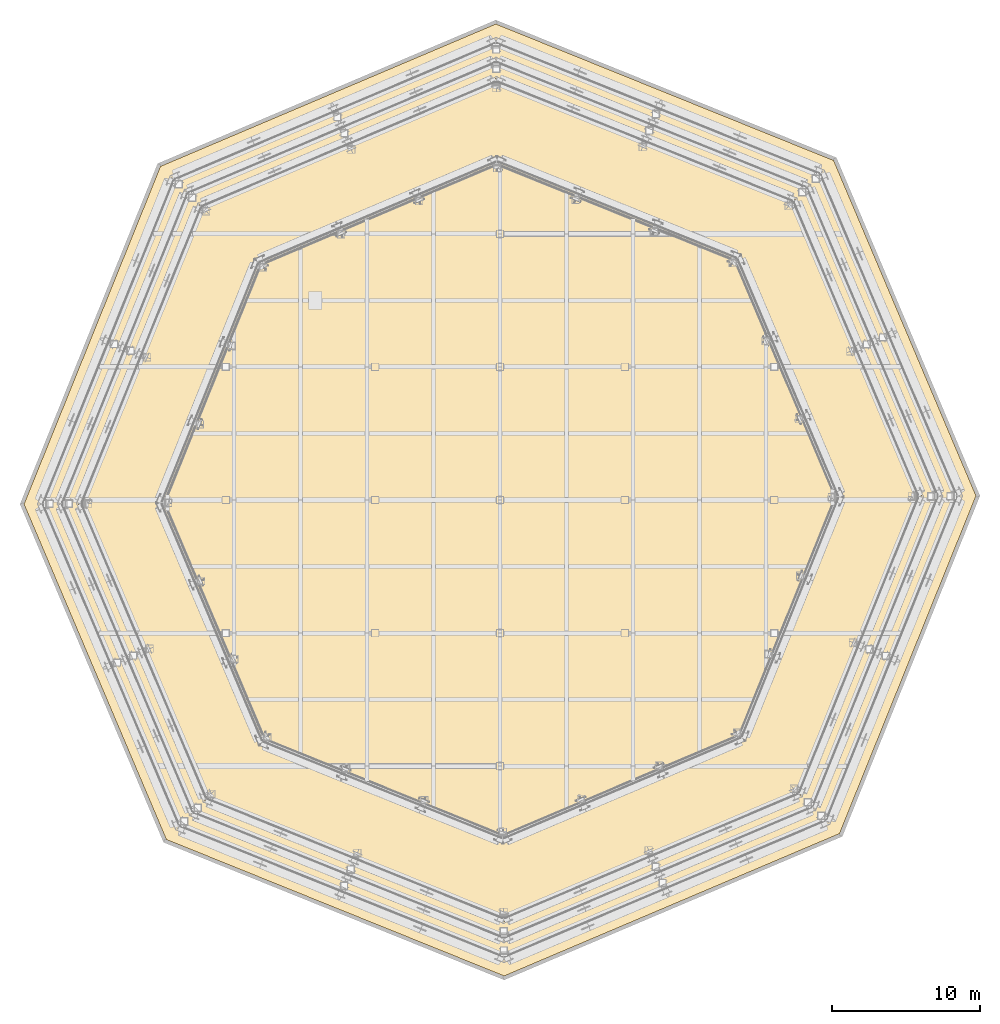
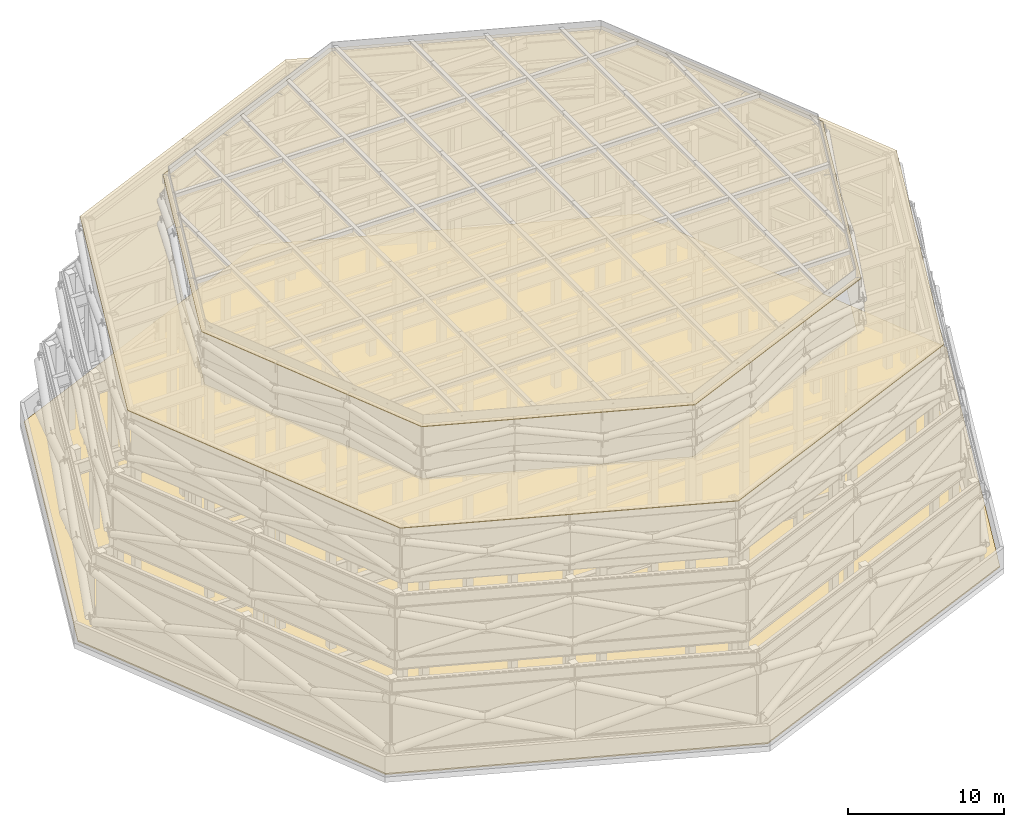
# One storey, part 19 of 19: 3 coverings.
"""IFC4 building model written with IfcOpenShell, lengths in metres."""

from ifc_helpers import new_model, si_unit, direction, frame, origin, place, context, subcontext, project, spatial, polyline, outline, extrude, material, layer, layer_set, type_object, element, save


model = new_model("IFC4")

# Units and contexts
model_context = context("Model", 3, precision=1e-05, world=origin(), true_north=direction((0.0, 1.0)))
body_context = subcontext(model_context, "Body", "Model", "MODEL_VIEW")
ifc_project = project(units=[si_unit("LENGTHUNIT", "METRE"), si_unit("AREAUNIT", "SQUARE_METRE"), si_unit("VOLUMEUNIT", "CUBIC_METRE"), si_unit("PLANEANGLEUNIT", "RADIAN"), si_unit("MASSUNIT", "GRAM", prefix="KILO")], contexts=[model_context])

# Site, building, storey
site_placement = place(None, origin())
site = spatial("IfcSite", under=ifc_project, at=site_placement, CompositionType="ELEMENT")
building_placement = place(site_placement, origin())
building = spatial("IfcBuilding", under=site, at=building_placement, Name="Orlundy Tower", CompositionType="ELEMENT")
storey_placement = place(building_placement, frame((0.0, 0.0, 304.300048828125)))
storey = spatial("IfcBuildingStorey", under=building, at=storey_placement, Name="Roof", CompositionType="ELEMENT", Elevation=304.300048828125)

# Coverings
ifc_material_1 = material(Name="Louvre aluminium bronze anodised", Category="aluminium")
ifc_layer_1 = layer(ifc_material_1, 0.0400390625)
ifc_layer_set_1 = layer_set([ifc_layer_1], Name="CROWN LOUVRE blade")
covering_type_1 = type_object("IfcCoveringType", Name="CROWN LOUVRE blade", PredefinedType="CLADDING", material=ifc_layer_set_1)
covering_1_placement = place(storey_placement, frame((0.0, 0.0, 16.699951171875)))
element("IfcCovering", 1, at=covering_1_placement, inside=storey, type_object=covering_type_1, Name="Crown roof", PredefinedType="CLADDING", context=body_context, shape_type="SweptSolid", body=[
    extrude(outline(polyline([(28.513916015625, 0.2490234375), (20.339111328125, -19.986083984375), (0.2490234375, -28.513916015625), (-19.986083984375, -20.339111328125), (-28.513916015625, -0.2490234375), (-20.339111328125, 19.986083984375), (-0.2490234375, 28.513916015625), (19.986083984375, 20.339111328125), (28.513916015625, 0.2490234375)]), holes=[polyline([(-0.198974609375, 22.783935546875), (-16.2509765625, 15.969970703125), (-22.783935546875, -0.198974609375), (-15.969970703125, -16.2509765625), (0.198974609375, -22.783935546875), (16.2509765625, -15.969970703125), (22.783935546875, 0.198974609375), (15.969970703125, 16.2509765625), (-0.198974609375, 22.783935546875)])]), origin(), (0.0, 0.0, 1.0), 0.050048828125),
])
covering_2_placement = place(storey_placement, frame((0.0, 0.0, 20.89990234375)))
element("IfcCovering", 2, at=covering_2_placement, inside=storey, type_object=covering_type_1, Name="Crown roof", PredefinedType="CLADDING", context=body_context, shape_type="SweptSolid", body=[
    extrude(outline(polyline([(16.14892578125, 16.43408203125), (23.0400390625, 0.200927734375), (16.43408203125, -16.14892578125), (0.200927734375, -23.0400390625), (-16.14892578125, -16.43408203125), (-23.0400390625, -0.200927734375), (-16.43408203125, 16.14892578125), (-0.200927734375, 23.0400390625), (16.14892578125, 16.43408203125)])), origin(), (0.0, 0.0, 1.0), 0.050048828125),
])
ifc_material_2 = material(Name="Single-ply membrane roofing")
ifc_layer_2 = layer(ifc_material_2, 0.10009765625)
ifc_layer_set_2 = layer_set([ifc_layer_2], Name="Roof covering")
covering_type_2 = type_object("IfcCoveringType", Name="Roof covering", PredefinedType="ROOFING", material=ifc_layer_set_2)
covering_3_placement = place(storey_placement, origin())
element("IfcCovering", 3, at=covering_3_placement, inside=storey, type_object=covering_type_2, Name="Roof covering", PredefinedType="ROOFING", context=body_context, shape_type="SweptSolid", body=[
    extrude(outline(polyline([(22.570068359375, 22.968017578125), (32.199951171875, 0.281005859375), (22.968017578125, -22.570068359375), (0.281005859375, -32.199951171875), (-22.570068359375, -22.968017578125), (-32.199951171875, -0.281005859375), (-22.968017578125, 22.570068359375), (-0.281005859375, 32.199951171875), (22.570068359375, 22.968017578125)])), origin(), (0.0, 0.0, 1.0), 0.099853515625),
])

save(model, "model.ifc")
